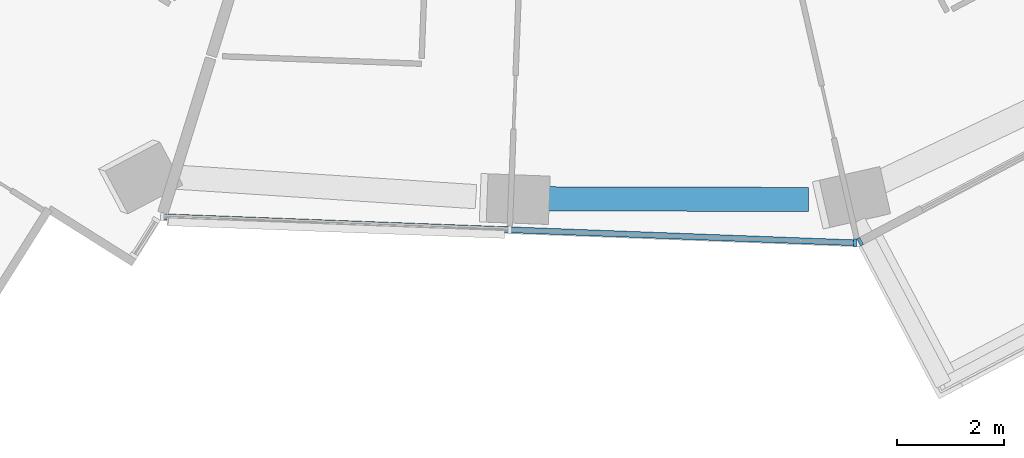
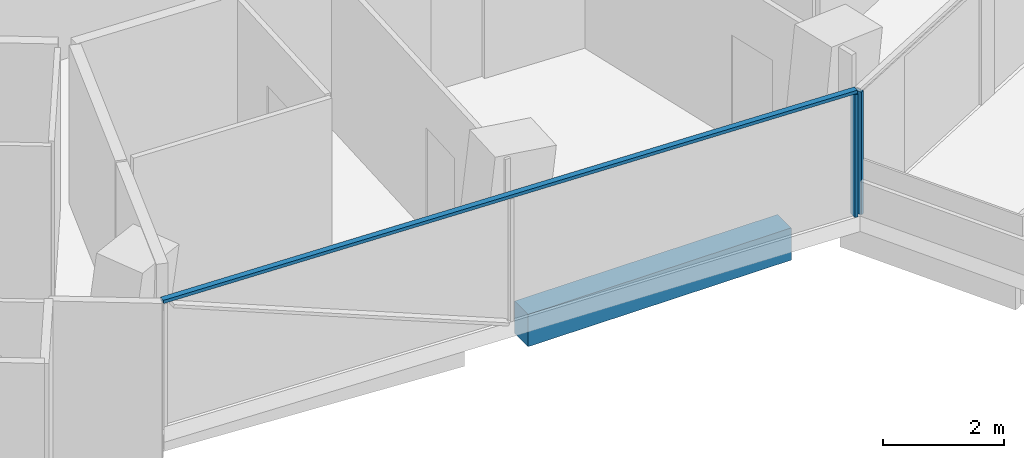
# One storey, part 3 of 23: 3 members, 1 beam, 2 elements without a shape of their own.
"""IFC4 building model written with IfcOpenShell, lengths in metres."""

from ifc_helpers import new_model, si_unit, direction, frame, origin, origin_2d, place, context, subcontext, project, spatial, rectangle, extrude, material, layer, layer_set, material_profile, profile_set, type_object, element, aggregate, save


model = new_model("IFC4")

# Units and contexts
model_context = context("Model", 3, precision=1e-05, world=origin(), true_north=direction((0.0, 1.0)))
body_context = subcontext(model_context, "Body", "Model", "MODEL_VIEW")
ifc_project = project(units=[si_unit("LENGTHUNIT", "METRE"), si_unit("AREAUNIT", "SQUARE_METRE"), si_unit("VOLUMEUNIT", "CUBIC_METRE"), si_unit("PLANEANGLEUNIT", "RADIAN"), si_unit("MASSUNIT", "GRAM", prefix="KILO")], contexts=[model_context])

# Site, building, storey
site_placement = place(None, origin())
site = spatial("IfcSite", under=ifc_project, at=site_placement, CompositionType="ELEMENT")
building_placement = place(site_placement, origin())
building = spatial("IfcBuilding", under=site, at=building_placement, Name="Verdalira Terraces Hotel", CompositionType="ELEMENT")
storey_placement = place(building_placement, frame((0.0, 0.0, 147.0)))
storey = spatial("IfcBuildingStorey", under=building, at=storey_placement, Name="L35", CompositionType="ELEMENT", Elevation=147.0)

# Curtain wall, member
ifc_material_1 = material(Name="Clear glass", Category="glass")
ifc_layer = layer(ifc_material_1, 0.14990234375)
ifc_layer_set = layer_set([ifc_layer], Name="CW1 curtain wall")
curtain_wall_type = type_object("IfcCurtainWallType", Name="CW1 curtain wall", PredefinedType="NOTDEFINED", material=ifc_layer_set)
curtain_wall_1_placement = place(storey_placement, origin())
curtain_wall_1 = element("IfcCurtainWall", 1, at=curtain_wall_1_placement, inside=storey, type_object=curtain_wall_type, Name="CW1 curtain wall L35 edge 25", PredefinedType="NOTDEFINED")
ifc_material_2 = material(Name="Terracotta frame", Category="masonry")
ifc_material_profile_1 = material_profile(ifc_material_2, rectangle(XDim=0.060059, YDim=0.149902, at=origin_2d()), Name="MU 60x150")
ifc_profile_set_1 = profile_set([ifc_material_profile_1], Name="Terracotta frame")
member_type_1 = type_object("IfcMemberType", Name="CW1 mullion 60x150", PredefinedType="MULLION", material=ifc_profile_set_1)
member_1_placement = place(storey_placement, frame((5.513672, -24.408447, 0.0), z_axis=(0.0, 0.0, 1.0), x_axis=(0.999289473, -0.037690183, 0.0)))
member_1 = element("IfcMember", 2, at=member_1_placement, type_object=member_type_1, Name="CW1 mullion", PredefinedType="MULLION", context=body_context, shape_type="SweptSolid", body=[
    extrude(rectangle(XDim=0.060059, YDim=0.149902, at=origin_2d()), origin(), (0.0, 0.0, 1.0), 2.475098),
])

curtain_wall_2_placement = place(storey_placement, origin())
curtain_wall_2 = element("IfcCurtainWall", 3, at=curtain_wall_2_placement, inside=storey, type_object=curtain_wall_type, Name="CW1 curtain wall L35 edge 26", PredefinedType="NOTDEFINED")
member_2_placement = place(storey_placement, frame((5.608154, -24.386963, 0.0), z_axis=(0.0, 0.0, 1.0), x_axis=(0.88425516, 0.467004081, 0.0)))
member_2 = element("IfcMember", 4, at=member_2_placement, type_object=member_type_1, Name="CW1 mullion", PredefinedType="MULLION", context=body_context, shape_type="SweptSolid", body=[
    extrude(rectangle(XDim=0.060059, YDim=0.149902, at=origin_2d()), origin(), (0.0, 0.0, 1.0), 2.475098),
])
aggregate(curtain_wall_2, [member_2])

# Member
ifc_material_3 = material(Name="Terracotta frame", Category="masonry")
ifc_material_profile_2 = material_profile(ifc_material_3, rectangle(XDim=0.110107, YDim=0.064941, at=origin_2d()), Name="TR 65x110")
ifc_profile_set_2 = profile_set([ifc_material_profile_2], Name="Terracotta frame")
member_type_2 = type_object("IfcMemberType", Name="CW1 transom 65x110", PredefinedType="USERDEFINED", material=ifc_profile_set_2)
member_3_placement = place(storey_placement, frame((-7.406738, -23.921143, 2.507568), z_axis=(0.999289258, -0.037695877, 0.0), x_axis=(0.037695877, 0.999289258, 0.0)))
member_3 = element("IfcMember", 5, at=member_3_placement, type_object=member_type_2, Name="CW1 transom", ObjectType="TRANSOM", PredefinedType="USERDEFINED", context=body_context, shape_type="SweptSolid", body=[
    extrude(rectangle(XDim=0.110107, YDim=0.064941, at=origin_2d()), origin(), (0.0, 0.0, 1.0), 12.959717),
])

aggregate(curtain_wall_1, [member_1, member_3])

# Beam
ifc_material_4 = material(Name="Concrete C50", Category="concrete")
ifc_material_profile_3 = material_profile(ifc_material_4, rectangle(XDim=0.449951, YDim=0.649902, at=origin_2d()), Name="RC 450X650")
ifc_profile_set_3 = profile_set([ifc_material_profile_3], Name="Concrete C50")
beam_type = type_object("IfcBeamType", Name="Spandrel beam RC 450X650 C50", PredefinedType="SPANDREL", material=ifc_profile_set_3)
beam_placement = place(storey_placement, frame((-0.364014, -23.5896, -0.63501), z_axis=(0.999997035, -0.002435334, 0.0), x_axis=(0.002435334, 0.999997035, 0.0)))
element("IfcBeam", 6, at=beam_placement, inside=storey, type_object=beam_type, Name="Spandrel beam B10", PredefinedType="SPANDREL", context=body_context, shape_type="SweptSolid", body=[
    extrude(rectangle(XDim=0.449951, YDim=0.649902, at=origin_2d()), origin(), (0.0, 0.0, 1.0), 5.012451),
])

save(model, "model.ifc")
